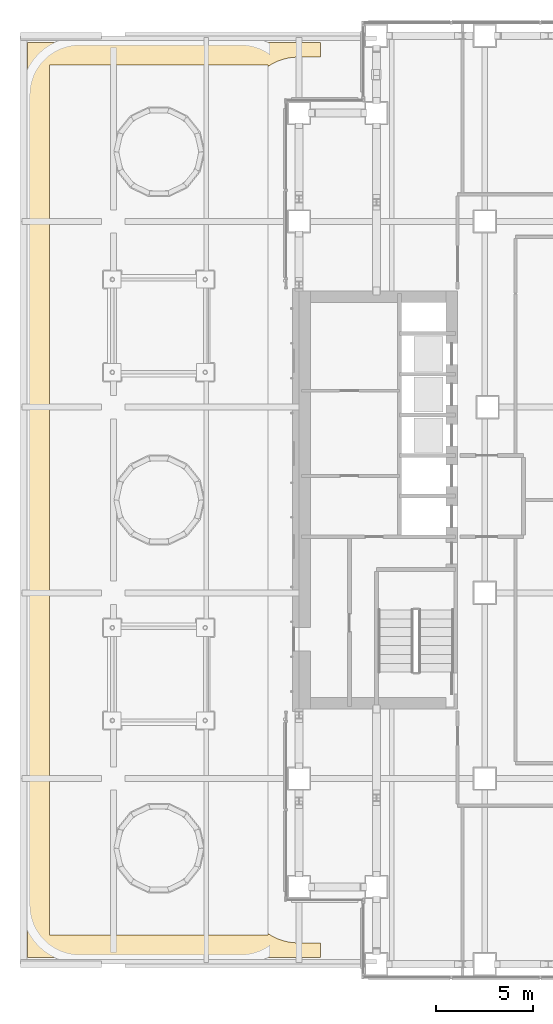
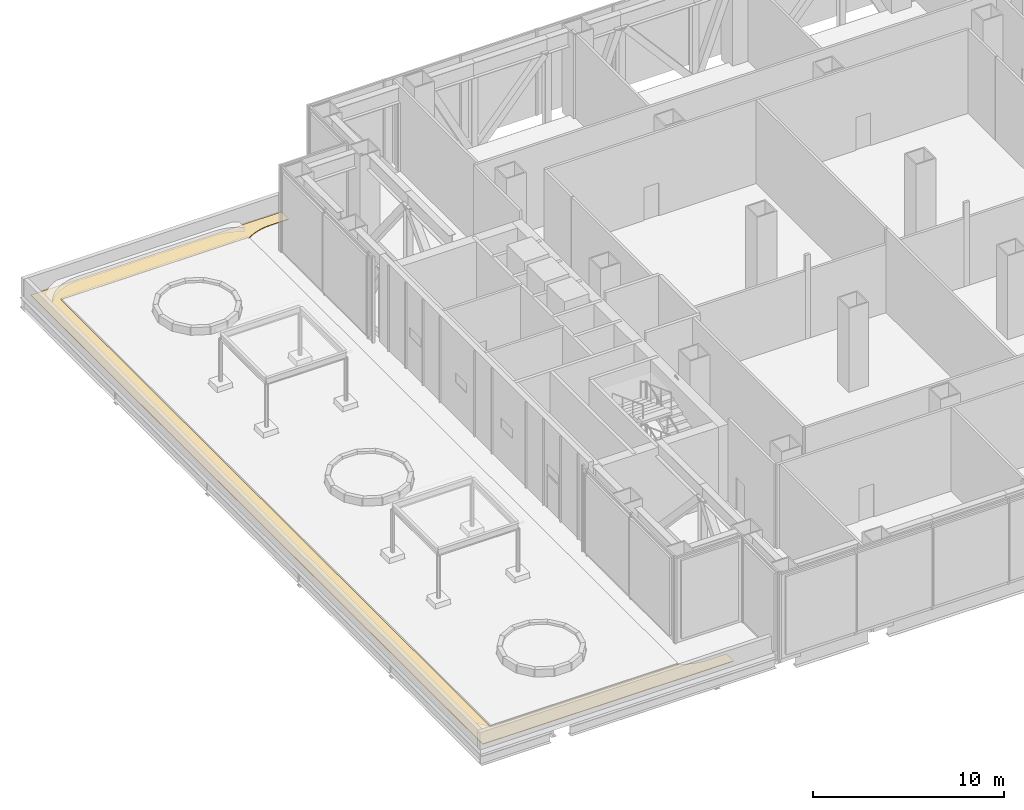
# One storey, part 31 of 39: 1 covering.
"""IFC4 building model written with IfcOpenShell, lengths in metres."""

from ifc_helpers import new_model, si_unit, direction, frame, origin, place, context, subcontext, project, spatial, polyline, outline, extrude, material, layer, layer_set, type_object, element, save


model = new_model("IFC4")

# Units and contexts
model_context = context("Model", 3, precision=1e-05, world=origin(), true_north=direction((0.0, 1.0)))
body_context = subcontext(model_context, "Body", "Model", "MODEL_VIEW")
ifc_project = project(units=[si_unit("LENGTHUNIT", "METRE"), si_unit("AREAUNIT", "SQUARE_METRE"), si_unit("VOLUMEUNIT", "CUBIC_METRE"), si_unit("PLANEANGLEUNIT", "RADIAN"), si_unit("MASSUNIT", "GRAM", prefix="KILO")], contexts=[model_context])

# Site, building, storey
site_placement = place(None, origin())
site = spatial("IfcSite", under=ifc_project, at=site_placement, CompositionType="ELEMENT")
building_placement = place(site_placement, origin())
building = spatial("IfcBuilding", under=site, at=building_placement, Name="Cobrizo Arcos Hotel Tower", CompositionType="ELEMENT")
storey_placement = place(building_placement, frame((0.0, 0.0, 33.5)))
storey = spatial("IfcBuildingStorey", under=building, at=storey_placement, Name="L06", CompositionType="ELEMENT", Elevation=33.5)

# Covering
ifc_material = material(Name="Roof membrane TPO single ply")
ifc_layer = layer(ifc_material, 0.0400390625)
ifc_layer_set = layer_set([ifc_layer], Name="RC-1 roof covering")
covering_type = type_object("IfcCoveringType", Name="RC-1 roof covering", PredefinedType="ROOFING", material=ifc_layer_set)
covering_placement = place(storey_placement, origin())
element("IfcCovering", 1, at=covering_placement, inside=storey, type_object=covering_type, Name="Roof covering L05 2", PredefinedType="ROOFING", context=body_context, shape_type="SweptSolid", body=[
    extrude(outline(polyline([(-22.89990234375, 23.64990234375), (-22.89990234375, 22.89990234375), (-24.0, 22.89990234375), (-24.2841796875, 22.885986328125), (-24.565673828125, 22.84423828125), (-24.841796875, 22.775146484375), (-25.10986328125, 22.67919921875), (-25.366943359375, 22.5576171875), (-25.60009765625, 22.41796875), (-25.60009765625, 22.5), (-36.89990234375, 22.5), (-36.89990234375, -22.5), (-25.60009765625, -22.5), (-25.60009765625, -22.41796875), (-25.366943359375, -22.5576171875), (-25.10986328125, -22.67919921875), (-24.841796875, -22.775146484375), (-24.565673828125, -22.84423828125), (-24.2841796875, -22.885986328125), (-24.0, -22.89990234375), (-22.89990234375, -22.89990234375), (-22.89990234375, -23.64990234375), (-38.050048828125, -23.64990234375), (-38.050048828125, 23.64990234375), (-22.89990234375, 23.64990234375)])), origin(), (0.0, 0.0, 1.0), 0.0400390625),
])

save(model, "model.ifc")
